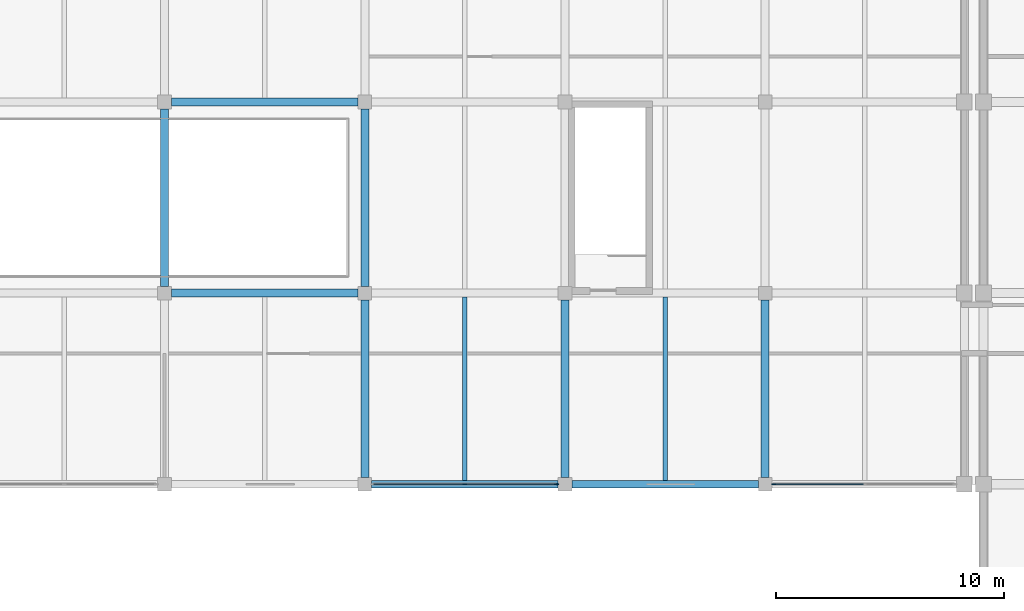
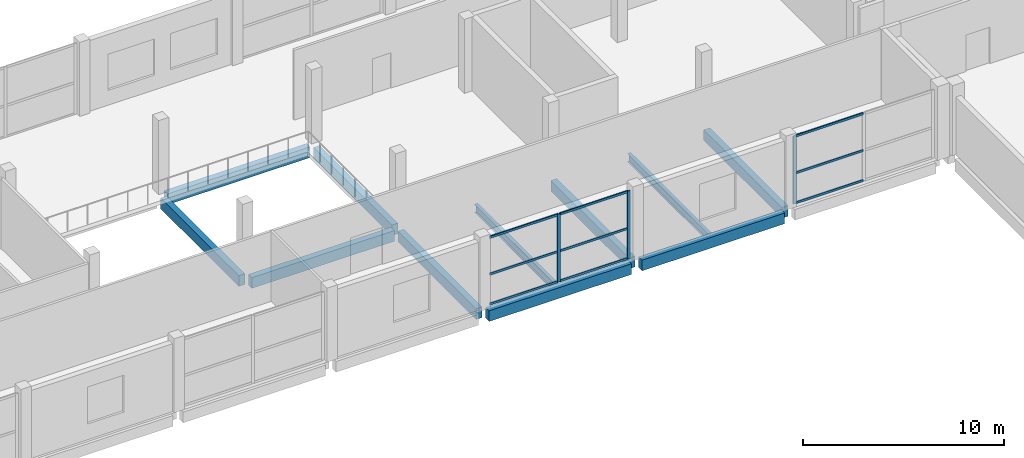
# One storey, part 5 of 18: 12 members, 11 beams, 2 elements without a shape of their own.
"""IFC4 building model written with IfcOpenShell, lengths in metres."""

import ifcopenshell
import ifcopenshell.guid

model = None  # the IFC model being written
_history = None  # IfcOwnerHistory: only IFC2X3 demands one
_inside = {}  # id of a spatial element -> (the spatial element, [elements in it])
_under = {}  # id of a project, library or spatial element -> (it, [spatial elements below it])
_declared = {}  # id of a project -> (the project, [libraries it declares])
_typed = {}  # id of a type object -> (the type object, [elements of that type])
_made_of = {}  # id of a material, layer set ... -> (it, [elements and type objects made of it])


def new_model(schema):
    """Start an empty IFC model of exactly this schema.

    Asked for "IFC4X3", IfcOpenShell would pick the latest addendum, in which some entities
    have other attributes; the version numbers below select the first issue.
    IFC2X3 requires an IfcOwnerHistory on every rooted entity: one is made here for all.
    """
    global model, _history
    if schema == "IFC4X3":
        model = ifcopenshell.file(schema_version=(4, 3, 0, 0))
    else:
        model = ifcopenshell.file(schema=schema)
    _inside.clear()
    _under.clear()
    _declared.clear()
    _typed.clear()
    _made_of.clear()
    _history = None
    if model.schema == "IFC2X3":
        org = make("IfcOrganization", Name="unknown")
        user = make(
            "IfcPersonAndOrganization",
            ThePerson=make("IfcPerson", FamilyName="unknown"),
            TheOrganization=org,
        )
        app = make(
            "IfcApplication",
            ApplicationDeveloper=org,
            Version="unknown",
            ApplicationFullName="unknown",
            ApplicationIdentifier="unknown",
        )
        _history = make(
            "IfcOwnerHistory",
            OwningUser=user,
            OwningApplication=app,
            ChangeAction="ADDED",
            CreationDate=0,
        )
    return model


def make(cls, **values):
    """One entity of the class cls with the attributes given. An attribute that is None is left unset."""
    return model.create_entity(
        cls, **{name: value for name, value in values.items() if value is not None}
    )


def rooted(cls, **values):
    """An entity with a GlobalId (a new one), such as an element, a storey or a relation."""
    return make(cls, GlobalId=ifcopenshell.guid.new(), OwnerHistory=_history, **values)


def si_unit(unit_type, name, prefix=None):
    """IfcSIUnit, for example si_unit("LENGTHUNIT", "METRE", prefix="MILLI")."""
    return make("IfcSIUnit", UnitType=unit_type, Prefix=prefix, Name=name)


def assignment(units):
    """IfcUnitAssignment: the units of a project."""
    return None if units is None else make("IfcUnitAssignment", Units=units)


def point(xyz):
    """IfcCartesianPoint."""
    return None if xyz is None else make("IfcCartesianPoint", Coordinates=xyz)


def direction(xyz):
    """IfcDirection."""
    return None if xyz is None else make("IfcDirection", DirectionRatios=xyz)


def frame(location, z_axis=None, x_axis=None):
    """IfcAxis2Placement3D, a coordinate frame: its origin and axes. An axis left out is left unset."""
    return make(
        "IfcAxis2Placement3D",
        Location=point(location),
        Axis=direction(z_axis),
        RefDirection=direction(x_axis),
    )


def frame_2d(location, x_axis=None):
    """IfcAxis2Placement2D, a coordinate frame in the plane: its origin and x axis."""
    return make(
        "IfcAxis2Placement2D", Location=point(location), RefDirection=direction(x_axis)
    )


def origin():
    """The frame at (0, 0, 0) with its axes left unset."""
    return frame((0.0, 0.0, 0.0))


def origin_2d():
    """The frame at (0, 0) in the plane with its x axis left unset."""
    return frame_2d((0.0, 0.0))


def place(relative_to, where):
    """IfcLocalPlacement: puts the frame where relative to a parent placement (None: the world)."""
    return make(
        "IfcLocalPlacement", PlacementRelTo=relative_to, RelativePlacement=where
    )


def context(
    kind, dimensions, precision=None, world=None, true_north=None, identifier=None
):
    """IfcGeometricRepresentationContext, for example the 3D "Model" context."""
    return make(
        "IfcGeometricRepresentationContext",
        ContextIdentifier=identifier,
        ContextType=kind,
        CoordinateSpaceDimension=dimensions,
        Precision=precision,
        WorldCoordinateSystem=world,
        TrueNorth=true_north,
    )


def subcontext(parent, identifier, kind, view, scale=None):
    """IfcGeometricRepresentationSubContext, for example "Body" below "Model"."""
    return make(
        "IfcGeometricRepresentationSubContext",
        ContextIdentifier=identifier,
        ContextType=kind,
        ParentContext=parent,
        TargetScale=scale,
        TargetView=view,
    )


def project(units=None, contexts=None):
    """IfcProject with its units and contexts."""
    return rooted(
        "IfcProject",
        Name="project",
        RepresentationContexts=contexts,
        UnitsInContext=assignment(units),
    )


def spatial(cls, under=None, at=None, **own):
    """A site, building, storey or space (cls), placed at a placement, below another one or the project."""
    s = rooted(cls, ObjectPlacement=at, **own)
    if under is not None:
        _under.setdefault(under.id(), (under, []))[1].append(s)
    return s


def profile(cls, at=None, kind="AREA", **sizes):
    """A parametric profile (cls). Its sizes go by their IFC names, for example OverallWidth=200.0."""
    return make(cls, ProfileType=kind, Position=at, **sizes)


def rectangle(**sizes):
    """IfcRectangleProfileDef."""
    return profile("IfcRectangleProfileDef", **sizes)


def i_section(**sizes):
    """IfcIShapeProfileDef."""
    return profile("IfcIShapeProfileDef", **sizes)


def extrude(swept, where, along, depth):
    """IfcExtrudedAreaSolid: the profile swept, set in the frame where, extruded along a direction by depth."""
    return make(
        "IfcExtrudedAreaSolid",
        SweptArea=swept,
        Position=where,
        ExtrudedDirection=direction(along),
        Depth=depth,
    )


def shape(context_of_items, identifier, shape_type, items):
    """IfcShapeRepresentation: the items that make up one representation, for example the "Body"."""
    return make(
        "IfcShapeRepresentation",
        ContextOfItems=context_of_items,
        RepresentationIdentifier=identifier,
        RepresentationType=shape_type,
        Items=items,
    )


def material(Name=None, Category=None):
    """IfcMaterial."""
    return make("IfcMaterial", Name=Name, Category=Category)


def material_profile(
    of_material, cross_section, Name=None, Category=None, Priority=None
):
    """IfcMaterialProfile: a cross section and its material."""
    return make(
        "IfcMaterialProfile",
        Name=Name,
        Material=of_material,
        Profile=cross_section,
        Priority=Priority,
        Category=Category,
    )


def profile_set(profiles, Name=None, composite=None):
    """IfcMaterialProfileSet."""
    return make(
        "IfcMaterialProfileSet",
        Name=Name,
        MaterialProfiles=profiles,
        CompositeProfile=composite,
    )


def made_of(thing, what):
    """Note that an element or type object is made of a material, layer set ...; save() writes the relation."""
    if what is not None:
        _made_of.setdefault(what.id(), (what, []))[1].append(thing)
    return thing


def type_object(cls, material=None, **own):
    """A type object (cls), such as IfcWallType, which elements share."""
    return made_of(rooted(cls, **own), material)


def element(
    cls,
    number,
    at=None,
    inside=None,
    cuts=None,
    type_object=None,
    material=None,
    context=None,
    identifier="Body",
    shape_type=None,
    held_by="IfcProductDefinitionShape",
    body=None,
    shapes=None,
    **own,
):
    """One element of the class cls, such as IfcWall. Its Tag is "e" and its number.

    at: its placement. inside: the storey or other place that contains it. cuts: it is an
    opening in that element (IfcRelVoidsElement). A single representation is given by context,
    identifier, shape_type and body (its items); several are given by shapes. held_by: the class
    of the entity that holds the representations. save() writes the other relations.
    """
    e = rooted(cls, Tag="e%d" % number, ObjectPlacement=at, **own)
    if body is not None:
        shapes = [shape(context, identifier, shape_type, body)]
    if shapes is not None:
        e.Representation = make(held_by, Representations=shapes)
    if inside is not None:
        _inside.setdefault(inside.id(), (inside, []))[1].append(e)
    if cuts is not None:
        rooted(
            "IfcRelVoidsElement", RelatingBuildingElement=cuts, RelatedOpeningElement=e
        )
    if type_object is not None:
        _typed.setdefault(type_object.id(), (type_object, []))[1].append(e)
    return made_of(e, material)


def aggregate(whole, parts):
    """IfcRelAggregates: a whole, such as a stair, and the parts it consists of."""
    return rooted("IfcRelAggregates", RelatingObject=whole, RelatedObjects=parts)


def save(model, path):
    """Write the relations noted so far, then the file.

    IfcRelAggregates (storeys below a building ...), IfcRelContainedInSpatialStructure (elements
    in a storey), IfcRelDefinesByType, IfcRelAssociatesMaterial and IfcRelDeclares: one each for
    every whole, place, type object, material and project.
    """
    for whole, parts in _under.values():
        aggregate(whole, parts)
    for where, things in _inside.values():
        rooted(
            "IfcRelContainedInSpatialStructure",
            RelatedElements=things,
            RelatingStructure=where,
        )
    for kind, things in _typed.values():
        rooted("IfcRelDefinesByType", RelatedObjects=things, RelatingType=kind)
    for what, things in _made_of.values():
        rooted("IfcRelAssociatesMaterial", RelatedObjects=things, RelatingMaterial=what)
    for by, libraries in _declared.values():
        rooted("IfcRelDeclares", RelatingContext=by, RelatedDefinitions=libraries)
    model.write(path)


model = new_model("IFC4")

# Units and contexts
model_context = context("Model", 3, precision=1e-05, world=origin(), true_north=direction((0.0, 1.0)))
body_context = subcontext(model_context, "Body", "Model", "MODEL_VIEW")
ifc_project = project(units=[si_unit("LENGTHUNIT", "METRE"), si_unit("AREAUNIT", "SQUARE_METRE"), si_unit("VOLUMEUNIT", "CUBIC_METRE"), si_unit("PLANEANGLEUNIT", "RADIAN"), si_unit("MASSUNIT", "GRAM", prefix="KILO")], contexts=[model_context])

# Site, building, storey
site_placement = place(None, origin())
site = spatial("IfcSite", under=ifc_project, at=site_placement, CompositionType="ELEMENT")
building_placement = place(site_placement, origin())
building = spatial("IfcBuilding", under=site, at=building_placement, Name="Brinegate Botanical Conservatory", CompositionType="ELEMENT")
storey_placement = place(building_placement, frame((0.0, 0.0, 14.699951171875)))
storey = spatial("IfcBuildingStorey", under=building, at=storey_placement, Name="L04", CompositionType="ELEMENT", Elevation=14.699951171875)

# Beams
ifc_material_1 = material(Name="Concrete C40/50", Category="concrete")
ifc_material_profile_1 = material_profile(ifc_material_1, rectangle(XDim=0.35009765625, YDim=0.64990234375, at=origin_2d()), Name="RC BM 350x650")
ifc_profile_set_1 = profile_set([ifc_material_profile_1], Name="Concrete C40/50")
beam_type_1 = type_object("IfcBeamType", Name="Beam_BM-V3", PredefinedType="BEAM", material=ifc_profile_set_1)
beam_1_placement = place(storey_placement, frame((95.10009765625, 86.800048828125, -0.56494140625), z_axis=(1.0, 0.0, 0.0), x_axis=(0.0, 1.0, 0.0)))
element("IfcBeam", 1, at=beam_1_placement, inside=storey, type_object=beam_type_1, Name="Beam BM-V3 L04 L:12-13", PredefinedType="BEAM", context=body_context, shape_type="SweptSolid", body=[
    extrude(rectangle(XDim=0.35009765625, YDim=0.64990234375, at=origin_2d()), origin(), (0.0, 0.0, 1.0), 8.199951171875),
])
beam_2_placement = place(storey_placement, frame((103.89990234375, 86.800048828125, -0.56494140625), z_axis=(1.0, 0.0, 0.0), x_axis=(0.0, 1.0, 0.0)))
element("IfcBeam", 2, at=beam_2_placement, inside=storey, type_object=beam_type_1, Name="Beam BM-V3 L04 L:13-14", PredefinedType="BEAM", context=body_context, shape_type="SweptSolid", body=[
    extrude(rectangle(XDim=0.35009765625, YDim=0.64990234375, at=origin_2d()), origin(), (0.0, 0.0, 1.0), 8.2001953125),
])
for number, where, z_axis, x_axis, name in (
    (3, (86.300048828125, 95.199951171875, -0.56494140625), (1.0, 0.0, 0.0), (0.0, 1.0, 0.0), "Beam BM-V3 L04 M:11-12"),
    (4, (86.300048828125, 103.60009765625, -0.56494140625), (1.0, 0.0, 0.0), (0.0, 1.0, 0.0), "Beam BM-V3 L04 N:11-12"),
):
    element("IfcBeam", number, at=place(storey_placement, frame(where, z_axis=z_axis, x_axis=x_axis)), inside=storey, type_object=beam_type_1, Name=name, PredefinedType="BEAM", context=body_context, shape_type="SweptSolid", body=[
        extrude(rectangle(XDim=0.35009765625, YDim=0.64990234375, at=origin_2d()), origin(), (0.0, 0.0, 1.0), 8.199951171875),
    ])
beam_3_placement = place(storey_placement, frame((86.0, 95.5, -0.56494140625), z_axis=(0.0, 1.0, 0.0), x_axis=(-1.0, 0.0, 0.0)))
element("IfcBeam", 5, at=beam_3_placement, inside=storey, type_object=beam_type_1, Name="Beam BM-V3 L04 11:M-N", PredefinedType="BEAM", context=body_context, shape_type="SweptSolid", body=[
    extrude(rectangle(XDim=0.35009765625, YDim=0.64990234375, at=origin_2d()), origin(), (0.0, 0.0, 1.0), 7.800048828125),
])
beam_4_placement = place(storey_placement, frame((94.800048828125, 87.10009765625, -0.56494140625), z_axis=(0.0, 1.0, 0.0), x_axis=(-1.0, 0.0, 0.0)))
element("IfcBeam", 6, at=beam_4_placement, inside=storey, type_object=beam_type_1, Name="Beam BM-V3 L04 12:L-M", PredefinedType="BEAM", context=body_context, shape_type="SweptSolid", body=[
    extrude(rectangle(XDim=0.35009765625, YDim=0.64990234375, at=origin_2d()), origin(), (0.0, 0.0, 1.0), 7.7998046875),
])
beam_5_placement = place(storey_placement, frame((94.800048828125, 95.5, -0.56494140625), z_axis=(0.0, 1.0, 0.0), x_axis=(-1.0, 0.0, 0.0)))
element("IfcBeam", 7, at=beam_5_placement, inside=storey, type_object=beam_type_1, Name="Beam BM-V3 L04 12:M-N", PredefinedType="BEAM", context=body_context, shape_type="SweptSolid", body=[
    extrude(rectangle(XDim=0.35009765625, YDim=0.64990234375, at=origin_2d()), origin(), (0.0, 0.0, 1.0), 7.800048828125),
])
for number, where, z_axis, x_axis, name in (
    (8, (103.60009765625, 87.10009765625, -0.56494140625), (0.0, 1.0, 0.0), (-1.0, 0.0, 0.0), "Beam BM-V3 L04 13:L-M"),
    (9, (112.39990234375, 87.10009765625, -0.56494140625), (0.0, 1.0, 0.0), (-1.0, 0.0, 0.0), "Beam BM-V3 L04 14:L-M"),
):
    element("IfcBeam", number, at=place(storey_placement, frame(where, z_axis=z_axis, x_axis=x_axis)), inside=storey, type_object=beam_type_1, Name=name, PredefinedType="BEAM", context=body_context, shape_type="SweptSolid", body=[
        extrude(rectangle(XDim=0.35009765625, YDim=0.64990234375, at=origin_2d()), origin(), (0.0, 0.0, 1.0), 7.7998046875),
    ])
ifc_material_2 = material(Name="Structural steel Q355B / S355", Category="steel")
ifc_material_profile_2 = material_profile(ifc_material_2, i_section(OverallWidth=0.199951171875, OverallDepth=0.5, WebThickness=0.010009765625, FlangeThickness=0.01611328125, at=origin_2d()), Name="HN 500x200x10x16")
ifc_profile_set_2 = profile_set([ifc_material_profile_2], Name="Structural steel Q355B / S355")
beam_type_2 = type_object("IfcBeamType", Name="Beam_JS-S4", PredefinedType="JOIST", material=ifc_profile_set_2)
for number, where, z_axis, x_axis, name in (
    (10, (99.199951171875, 86.97509765625, -0.489990234375), (0.0, 1.0, 0.0), (-1.0, 0.0, 0.0), "Floor joist JS-S4 L04 bay 12.11"),
    (11, (108.0, 86.97509765625, -0.489990234375), (0.0, 1.0, 0.0), (-1.0, 0.0, 0.0), "Floor joist JS-S4 L04 bay 13.11"),
):
    element("IfcBeam", number, at=place(storey_placement, frame(where, z_axis=z_axis, x_axis=x_axis)), inside=storey, type_object=beam_type_2, Name=name, PredefinedType="JOIST", context=body_context, shape_type="SweptSolid", body=[
        extrude(i_section(OverallWidth=0.199951171875, OverallDepth=0.5, WebThickness=0.010009765625, FlangeThickness=0.01611328125, at=origin_2d()), origin(), (0.0, 0.0, 1.0), 8.0498046875),
    ])

# Curtain wall, members
ifc_material_3 = material(Name="Thermally broken anodised aluminium AW-6063-T6", Category="aluminium")
curtain_wall_type = type_object("IfcCurtainWallType", Name="CW_CW-V3", PredefinedType="USERDEFINED", material=ifc_material_3)
curtain_wall_1_placement = place(storey_placement, origin())
curtain_wall_1 = element("IfcCurtainWall", 12, at=curtain_wall_1_placement, inside=storey, type_object=curtain_wall_type, Name="Visitor south court curtain wall L04.6", ObjectType="FACTORY CURTAIN WALL", PredefinedType="USERDEFINED")
ifc_material_profile_3 = material_profile(ifc_material_3, rectangle(XDim=0.06494140625, YDim=0.179931640625, at=origin_2d()), Name="ALUM MULLION 65x180")
ifc_profile_set_3 = profile_set([ifc_material_profile_3], Name="Thermally broken anodised aluminium AW-6063-T6")
member_type_1 = type_object("IfcMemberType", Name="Member_ML-02", PredefinedType="MULLION", material=ifc_profile_set_3)
member_1_placement = place(storey_placement, frame((103.2275390625, 86.800048828125, 0.0), z_axis=(0.0, 0.0, 1.0), x_axis=(0.0, -1.0, 0.0)))
member_1 = element("IfcMember", 13, at=member_1_placement, type_object=member_type_1, Name="CW-V3 mullion 1", PredefinedType="MULLION", context=body_context, shape_type="SweptSolid", body=[
    extrude(rectangle(XDim=0.06494140625, YDim=0.179931640625, at=origin_2d()), origin(), (0.0, 0.0, 1.0), 4.125),
])
member_2_placement = place(storey_placement, frame((99.199951171875, 86.800048828125, 0.0), z_axis=(0.0, 0.0, 1.0), x_axis=(0.0, -1.0, 0.0)))
member_2 = element("IfcMember", 14, at=member_2_placement, type_object=member_type_1, Name="CW-V3 mullion 2", PredefinedType="MULLION", context=body_context, shape_type="SweptSolid", body=[
    extrude(rectangle(XDim=0.06494140625, YDim=0.179931640625, at=origin_2d()), origin(), (0.0, 0.0, 1.0), 4.125),
])

# Curtain wall, member
curtain_wall_2_placement = place(storey_placement, origin())
curtain_wall_2 = element("IfcCurtainWall", 15, at=curtain_wall_2_placement, inside=storey, type_object=curtain_wall_type, Name="Visitor south court curtain wall L04.8", ObjectType="FACTORY CURTAIN WALL", PredefinedType="USERDEFINED")
member_3_placement = place(storey_placement, frame((112.7724609375, 86.800048828125, 0.0), z_axis=(0.0, 0.0, 1.0), x_axis=(0.0, -1.0, 0.0)))
member_3 = element("IfcMember", 16, at=member_3_placement, type_object=member_type_1, Name="CW-V3 mullion 3", PredefinedType="MULLION", context=body_context, shape_type="SweptSolid", body=[
    extrude(rectangle(XDim=0.06494140625, YDim=0.179931640625, at=origin_2d()), origin(), (0.0, 0.0, 1.0), 4.125),
])

# Member
ifc_material_profile_4 = material_profile(ifc_material_3, rectangle(XDim=0.06494140625, YDim=0.135009765625, at=origin_2d()), Name="ALUM TRANSOM 65x135")
ifc_profile_set_4 = profile_set([ifc_material_profile_4], Name="Thermally broken anodised aluminium AW-6063-T6")
member_type_2 = type_object("IfcMemberType", Name="Member_TR-02", PredefinedType="USERDEFINED", material=ifc_profile_set_4)
member_4_placement = place(storey_placement, frame((103.195068359375, 86.800048828125, 0.032470703125), z_axis=(-1.0, 0.0, 0.0), x_axis=(0.0, -1.0, 0.0)))
member_4 = element("IfcMember", 17, at=member_4_placement, type_object=member_type_2, Name="CW-V3 transom 1.1", ObjectType="TRANSOM", PredefinedType="USERDEFINED", context=body_context, shape_type="SweptSolid", body=[
    extrude(rectangle(XDim=0.06494140625, YDim=0.135009765625, at=origin_2d()), origin(), (0.0, 0.0, 1.0), 3.962646484375),
])

member_5_placement = place(storey_placement, frame((103.195068359375, 86.800048828125, 1.85595703125), z_axis=(-1.0, 0.0, 0.0), x_axis=(0.0, -1.0, 0.0)))
member_5 = element("IfcMember", 18, at=member_5_placement, type_object=member_type_2, Name="CW-V3 transom 1.2", ObjectType="TRANSOM", PredefinedType="USERDEFINED", context=body_context, shape_type="SweptSolid", body=[
    extrude(rectangle(XDim=0.06494140625, YDim=0.135009765625, at=origin_2d()), origin(), (0.0, 0.0, 1.0), 3.962646484375),
])

member_6_placement = place(storey_placement, frame((103.195068359375, 86.800048828125, 4.092529296875), z_axis=(-1.0, 0.0, 0.0), x_axis=(0.0, -1.0, 0.0)))
member_6 = element("IfcMember", 19, at=member_6_placement, type_object=member_type_2, Name="CW-V3 transom 1.3", ObjectType="TRANSOM", PredefinedType="USERDEFINED", context=body_context, shape_type="SweptSolid", body=[
    extrude(rectangle(XDim=0.06494140625, YDim=0.135009765625, at=origin_2d()), origin(), (0.0, 0.0, 1.0), 3.962646484375),
])

member_7_placement = place(storey_placement, frame((99.16748046875, 86.800048828125, 0.032470703125), z_axis=(-1.0, 0.0, 0.0), x_axis=(0.0, -1.0, 0.0)))
member_7 = element("IfcMember", 20, at=member_7_placement, type_object=member_type_2, Name="CW-V3 transom 2.1", ObjectType="TRANSOM", PredefinedType="USERDEFINED", context=body_context, shape_type="SweptSolid", body=[
    extrude(rectangle(XDim=0.06494140625, YDim=0.135009765625, at=origin_2d()), origin(), (0.0, 0.0, 1.0), 3.96240234375),
])

member_8_placement = place(storey_placement, frame((99.16748046875, 86.800048828125, 1.85595703125), z_axis=(-1.0, 0.0, 0.0), x_axis=(0.0, -1.0, 0.0)))
member_8 = element("IfcMember", 21, at=member_8_placement, type_object=member_type_2, Name="CW-V3 transom 2.2", ObjectType="TRANSOM", PredefinedType="USERDEFINED", context=body_context, shape_type="SweptSolid", body=[
    extrude(rectangle(XDim=0.06494140625, YDim=0.135009765625, at=origin_2d()), origin(), (0.0, 0.0, 1.0), 3.96240234375),
])

member_9_placement = place(storey_placement, frame((99.16748046875, 86.800048828125, 4.092529296875), z_axis=(-1.0, 0.0, 0.0), x_axis=(0.0, -1.0, 0.0)))
member_9 = element("IfcMember", 22, at=member_9_placement, type_object=member_type_2, Name="CW-V3 transom 2.3", ObjectType="TRANSOM", PredefinedType="USERDEFINED", context=body_context, shape_type="SweptSolid", body=[
    extrude(rectangle(XDim=0.06494140625, YDim=0.135009765625, at=origin_2d()), origin(), (0.0, 0.0, 1.0), 3.96240234375),
])

aggregate(curtain_wall_1, [member_1, member_2, member_4, member_5, member_6, member_7, member_8, member_9])

member_10_placement = place(storey_placement, frame((116.717529296875, 86.800048828125, 0.032470703125), z_axis=(-1.0, 0.0, 0.0), x_axis=(0.0, -1.0, 0.0)))
member_10 = element("IfcMember", 23, at=member_10_placement, type_object=member_type_2, Name="CW-V3 transom 2.1", ObjectType="TRANSOM", PredefinedType="USERDEFINED", context=body_context, shape_type="SweptSolid", body=[
    extrude(rectangle(XDim=0.06494140625, YDim=0.135009765625, at=origin_2d()), origin(), (0.0, 0.0, 1.0), 3.91259765625),
])

member_11_placement = place(storey_placement, frame((116.717529296875, 86.800048828125, 1.85595703125), z_axis=(-1.0, 0.0, 0.0), x_axis=(0.0, -1.0, 0.0)))
member_11 = element("IfcMember", 24, at=member_11_placement, type_object=member_type_2, Name="CW-V3 transom 2.2", ObjectType="TRANSOM", PredefinedType="USERDEFINED", context=body_context, shape_type="SweptSolid", body=[
    extrude(rectangle(XDim=0.06494140625, YDim=0.135009765625, at=origin_2d()), origin(), (0.0, 0.0, 1.0), 3.91259765625),
])

member_12_placement = place(storey_placement, frame((116.717529296875, 86.800048828125, 4.092529296875), z_axis=(-1.0, 0.0, 0.0), x_axis=(0.0, -1.0, 0.0)))
member_12 = element("IfcMember", 25, at=member_12_placement, type_object=member_type_2, Name="CW-V3 transom 2.3", ObjectType="TRANSOM", PredefinedType="USERDEFINED", context=body_context, shape_type="SweptSolid", body=[
    extrude(rectangle(XDim=0.06494140625, YDim=0.135009765625, at=origin_2d()), origin(), (0.0, 0.0, 1.0), 3.91259765625),
])

aggregate(curtain_wall_2, [member_3, member_10, member_11, member_12])

save(model, "model.ifc")
